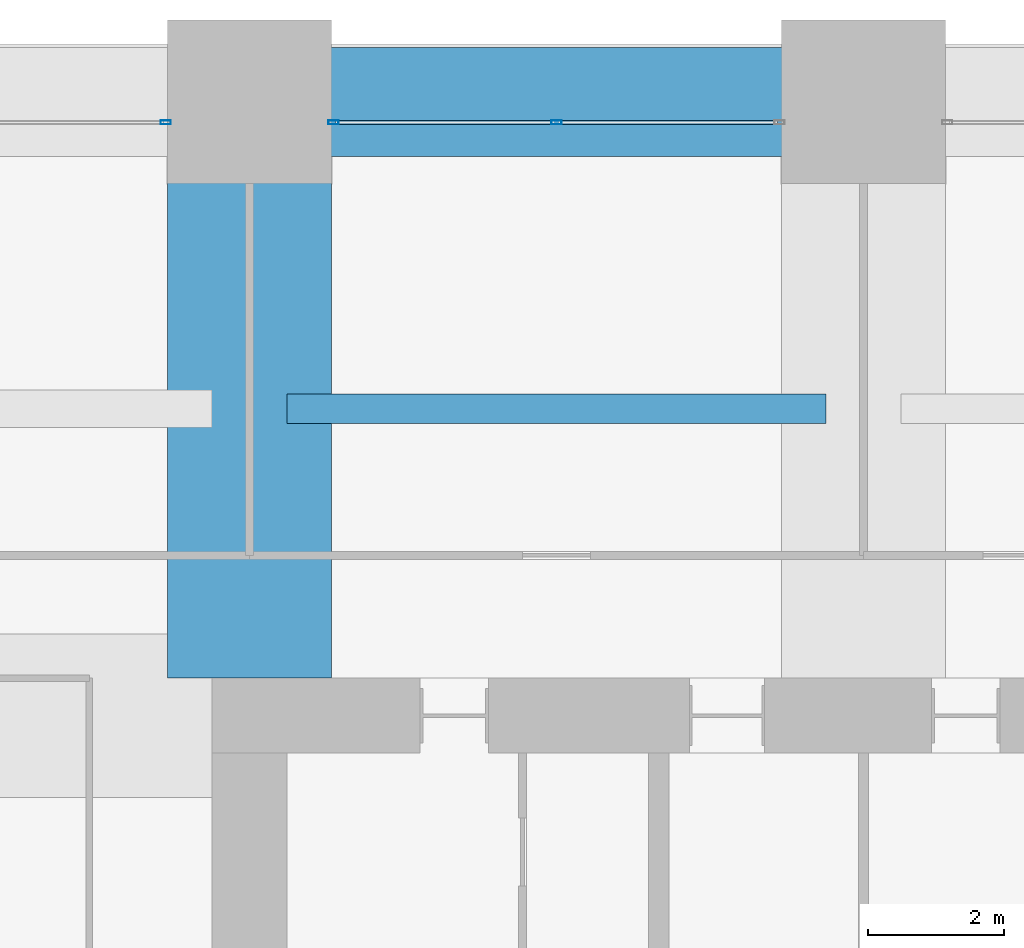
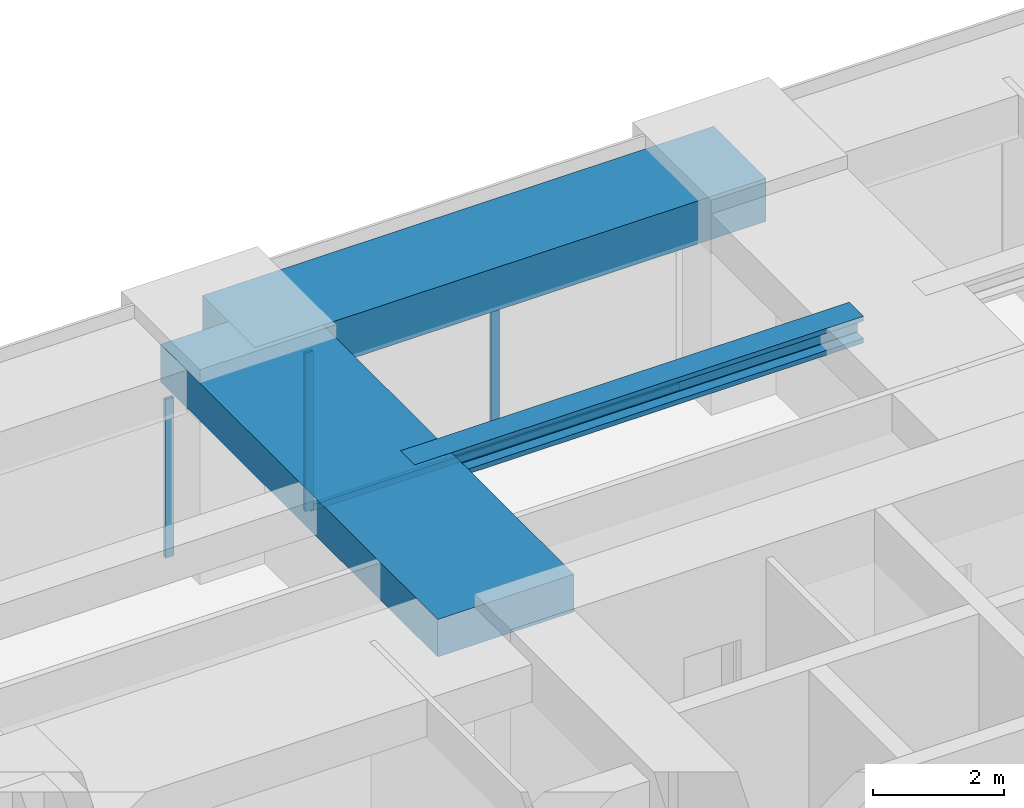
# One storey, part 28 of 43: 4 members, 3 beams, 2 elements without a shape of their own.
"""IFC4 building model written with IfcOpenShell, lengths in metres."""

from ifc_helpers import new_model, si_unit, direction, frame, origin, origin_2d, place, context, subcontext, project, spatial, rectangle, hollow_rectangle, i_section, extrude, material, material_profile, profile_set, type_object, element, aggregate, save


model = new_model("IFC4")

# Units and contexts
model_context = context("Model", 3, precision=1e-05, world=origin(), true_north=direction((0.0, 1.0)))
body_context = subcontext(model_context, "Body", "Model", "MODEL_VIEW")
ifc_project = project(units=[si_unit("LENGTHUNIT", "METRE"), si_unit("AREAUNIT", "SQUARE_METRE"), si_unit("VOLUMEUNIT", "CUBIC_METRE"), si_unit("PLANEANGLEUNIT", "RADIAN"), si_unit("MASSUNIT", "GRAM", prefix="KILO")], contexts=[model_context])

# Site, building, storey
site_placement = place(None, origin())
site = spatial("IfcSite", under=ifc_project, at=site_placement, CompositionType="ELEMENT")
building_placement = place(site_placement, origin())
building = spatial("IfcBuilding", under=site, at=building_placement, Name="Zorevar Civic Tower", CompositionType="ELEMENT")
storey_placement = place(building_placement, frame((0.0, 0.0, 141.0)))
storey = spatial("IfcBuildingStorey", under=building, at=storey_placement, Name="L34", CompositionType="ELEMENT", Elevation=141.0)

# Beam
ifc_material_1 = material(Name="Concrete C50/60", Category="concrete")
ifc_material_profile_1 = material_profile(ifc_material_1, rectangle(XDim=2.39990234375, YDim=0.699951171875, at=origin_2d()), Name="RC 2400x700")
ifc_profile_set_1 = profile_set([ifc_material_profile_1], Name="Concrete C50/60")
beam_type_1 = type_object("IfcBeamType", Name="Beam RC 2400x700", PredefinedType="BEAM", material=ifc_profile_set_1)
beam_1_placement = place(storey_placement, frame((18.0, 36.550048828125, 3.39990234375), z_axis=(0.0, 1.0, 0.0), x_axis=(-1.0, 0.0, 0.0)))
element("IfcBeam", 1, at=beam_1_placement, inside=storey, type_object=beam_type_1, Name="Girder L35", PredefinedType="BEAM", context=body_context, shape_type="SweptSolid", body=[
    extrude(rectangle(XDim=2.39990234375, YDim=0.699951171875, at=origin_2d()), origin(), (0.0, 0.0, 1.0), 8.449951171875),
])

# Curtain wall, member
ifc_material_2 = material(Name="Dark grey solar-control glass in black aluminium frame", Category="aluminium")
curtain_wall_type = type_object("IfcCurtainWallType", Name="Curtain wall CW3 mid zone", PredefinedType="NOTDEFINED", material=ifc_material_2)
curtain_wall_1_placement = place(storey_placement, origin())
curtain_wall_1 = element("IfcCurtainWall", 2, at=curtain_wall_1_placement, inside=storey, type_object=curtain_wall_type, Name="CW3 L34", PredefinedType="NOTDEFINED")
ifc_material_3 = material(Name="Aluminium, black anodised", Category="aluminium")
ifc_material_profile_2 = material_profile(ifc_material_3, hollow_rectangle(XDim=0.06005859375, YDim=0.14990234375, WallThickness=0.00390625, at=origin_2d()), Name="AL 150x60x4")
ifc_profile_set_2 = profile_set([ifc_material_profile_2], Name="Aluminium, black anodised")
member_type_1 = type_object("IfcMemberType", Name="CW3 mullion AL 150x60x4", PredefinedType="MULLION", material=ifc_profile_set_2)
member_1_placement = place(storey_placement, frame((16.77001953125, 44.699951171875, 0.0), z_axis=(0.0, 0.0, 1.0), x_axis=(0.0, 1.0, 0.0)))
member_1 = element("IfcMember", 3, at=member_1_placement, type_object=member_type_1, Name="CW3 mullion 3", PredefinedType="MULLION", context=body_context, shape_type="SweptSolid", body=[
    extrude(hollow_rectangle(XDim=0.06005859375, YDim=0.14990234375, WallThickness=0.00390625, at=origin_2d()), origin(), (0.0, 0.0, 1.0), 2.949951171875),
])
aggregate(curtain_wall_1, [member_1])

# Curtain wall, members
curtain_wall_2_placement = place(storey_placement, origin())
curtain_wall_2 = element("IfcCurtainWall", 4, at=curtain_wall_2_placement, inside=storey, type_object=curtain_wall_type, Name="CW3 L34", PredefinedType="NOTDEFINED")
member_2_placement = place(storey_placement, frame((19.22998046875, 44.699951171875, 0.0), z_axis=(0.0, 0.0, 1.0), x_axis=(0.0, 1.0, 0.0)))
member_2 = element("IfcMember", 5, at=member_2_placement, type_object=member_type_1, Name="CW3 mullion 1", PredefinedType="MULLION", context=body_context, shape_type="SweptSolid", body=[
    extrude(hollow_rectangle(XDim=0.06005859375, YDim=0.14990234375, WallThickness=0.00390625, at=origin_2d()), origin(), (0.0, 0.0, 1.0), 2.949951171875),
])
member_3_placement = place(storey_placement, frame((22.5, 44.699951171875, 0.06005859375), z_axis=(0.0, 0.0, 1.0), x_axis=(0.0, 1.0, 0.0)))
member_3 = element("IfcMember", 6, at=member_3_placement, type_object=member_type_1, Name="CW3 mullion 2", PredefinedType="MULLION", context=body_context, shape_type="SweptSolid", body=[
    extrude(hollow_rectangle(XDim=0.06005859375, YDim=0.14990234375, WallThickness=0.00390625, at=origin_2d()), origin(), (0.0, 0.0, 1.0), 2.889892578125),
])
ifc_material_4 = material(Name="Aluminium, black anodised", Category="aluminium")
ifc_material_profile_3 = material_profile(ifc_material_4, hollow_rectangle(XDim=0.06005859375, YDim=0.1201171875, WallThickness=0.0029296875, at=origin_2d()), Name="AL 120x60x3")
ifc_profile_set_3 = profile_set([ifc_material_profile_3], Name="Aluminium, black anodised")
member_type_2 = type_object("IfcMemberType", Name="CW3 transom AL 120x60x3", PredefinedType="USERDEFINED", material=ifc_profile_set_3)
member_4_placement = place(storey_placement, frame((19.260009765625, 44.699951171875, 0.030029296875), z_axis=(1.0, 0.0, 0.0), x_axis=(0.0, 1.0, 0.0)))
member_4 = element("IfcMember", 7, at=member_4_placement, type_object=member_type_2, Name="CW3 sill transom", ObjectType="TRANSOM", PredefinedType="USERDEFINED", context=body_context, shape_type="SweptSolid", body=[
    extrude(hollow_rectangle(XDim=0.06005859375, YDim=0.1201171875, WallThickness=0.0029296875, at=origin_2d()), origin(), (0.0, 0.0, 1.0), 6.47998046875),
])
aggregate(curtain_wall_2, [member_2, member_3, member_4])

# Beams
ifc_material_5 = material(Name="Steel S460M (HISTAR 460)", Category="steel")
ifc_material_profile_4 = material_profile(ifc_material_5, i_section(OverallWidth=0.431884765625, OverallDepth=0.498046875, WebThickness=0.0556640625, FlangeThickness=0.0888671875, FilletRadius=0.014892578125, at=origin_2d()), Name="HD 400x744")
ifc_profile_set_4 = profile_set([ifc_material_profile_4], Name="Steel S460M (HISTAR 460)")
beam_type_2 = type_object("IfcBeamType", Name="Core bay beam HD 400x744", PredefinedType="BEAM", material=ifc_profile_set_4)
beam_2_placement = place(storey_placement, frame((18.550048828125, 40.5, 3.5009765625), z_axis=(1.0, 0.0, 0.0), x_axis=(0.0, 1.0, 0.0)))
element("IfcBeam", 8, at=beam_2_placement, inside=storey, type_object=beam_type_2, Name="Secondary beam L35", PredefinedType="BEAM", context=body_context, shape_type="SweptSolid", body=[
    extrude(i_section(OverallWidth=0.431884765625, OverallDepth=0.498046875, WebThickness=0.0556640625, FlangeThickness=0.0888671875, FilletRadius=0.014892578125, at=origin_2d()), origin(), (0.0, 0.0, 1.0), 7.89990234375),
])
ifc_material_6 = material(Name="Concrete C50/60", Category="concrete")
ifc_material_profile_5 = material_profile(ifc_material_6, rectangle(XDim=1.60009765625, YDim=0.800048828125, at=origin_2d()), Name="RC 1600x800")
ifc_profile_set_5 = profile_set([ifc_material_profile_5], Name="Concrete C50/60")
beam_type_3 = type_object("IfcBeamType", Name="Edge beam RC 1600x800", PredefinedType="SPANDREL", material=ifc_profile_set_5)
beam_3_placement = place(storey_placement, frame((18.0, 45.0, 3.35009765625), z_axis=(1.0, 0.0, 0.0), x_axis=(0.0, 1.0, 0.0)))
element("IfcBeam", 9, at=beam_3_placement, inside=storey, type_object=beam_type_3, Name="Edge beam L35", PredefinedType="SPANDREL", context=body_context, shape_type="SweptSolid", body=[
    extrude(rectangle(XDim=1.60009765625, YDim=0.800048828125, at=origin_2d()), origin(), (0.0, 0.0, 1.0), 9.0),
])

save(model, "model.ifc")
